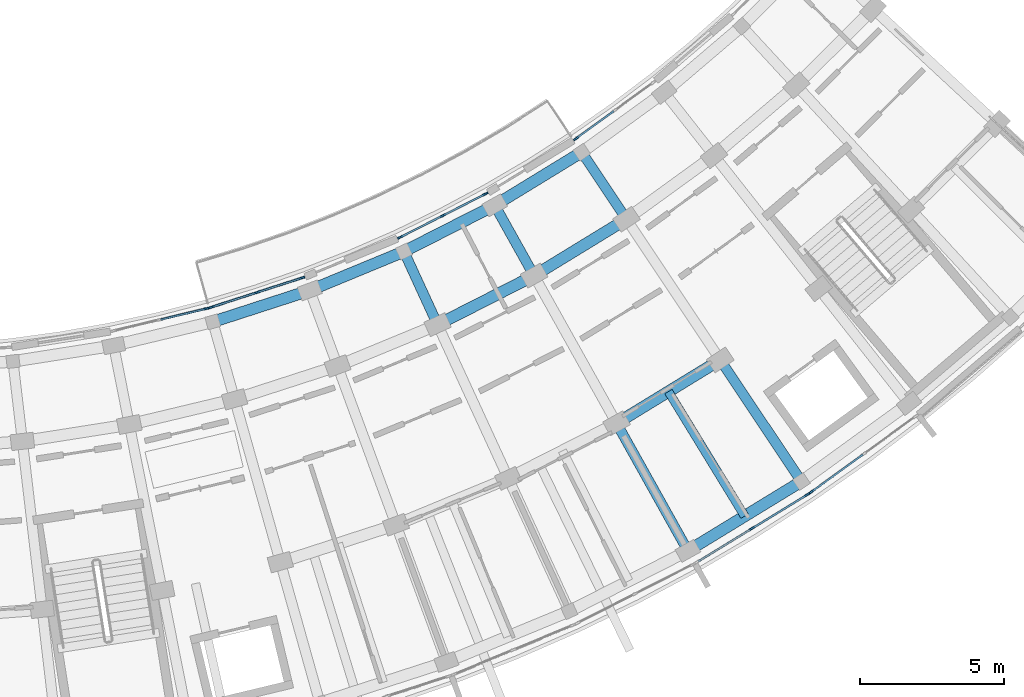
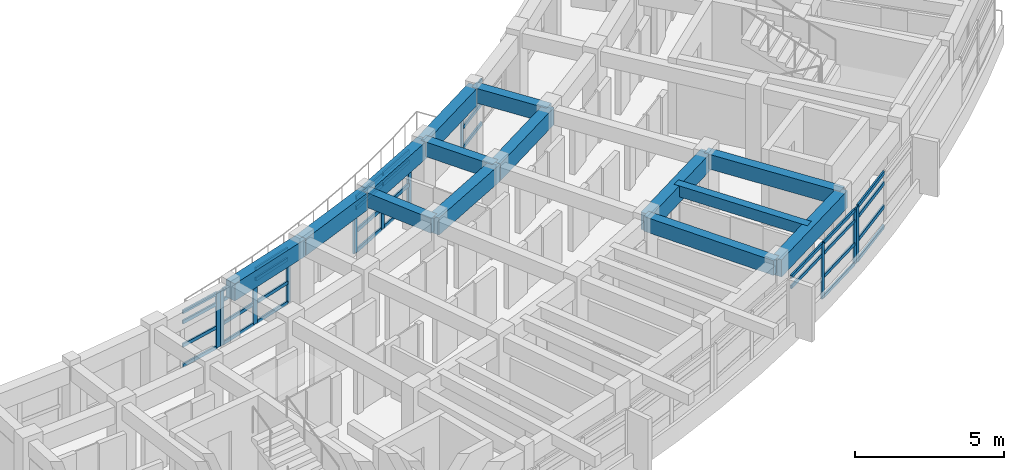
# One storey, part 18 of 56: 44 members, 14 beams, 6 elements without a shape of their own.
"""IFC4 building model written with IfcOpenShell, lengths in metres."""

from ifc_helpers import new_model, si_unit, direction, frame, origin, origin_2d, place, context, subcontext, project, spatial, rectangle, extrude, material, material_profile, profile_set, type_object, element, aggregate, save


model = new_model("IFC4")

# Units and contexts
model_context = context("Model", 3, precision=1e-05, world=origin(), true_north=direction((0.0, 1.0)))
body_context = subcontext(model_context, "Body", "Model", "MODEL_VIEW")
ifc_project = project(units=[si_unit("LENGTHUNIT", "METRE"), si_unit("AREAUNIT", "SQUARE_METRE"), si_unit("VOLUMEUNIT", "CUBIC_METRE"), si_unit("PLANEANGLEUNIT", "RADIAN"), si_unit("MASSUNIT", "GRAM", prefix="KILO")], contexts=[model_context])

# Site, building, storey
site_placement = place(None, origin())
site = spatial("IfcSite", under=ifc_project, at=site_placement, CompositionType="ELEMENT")
building_placement = place(site_placement, origin())
building = spatial("IfcBuilding", under=site, at=building_placement, Name="Zimvara Arc Housing Community", CompositionType="ELEMENT")
storey_placement = place(building_placement, frame((0.0, 0.0, 17.39990234375)))
storey = spatial("IfcBuildingStorey", under=building, at=storey_placement, Name="L05", CompositionType="ELEMENT", Elevation=17.39990234375)

# Beams
ifc_material_1 = material(Name="Concrete C40/50", Category="concrete")
ifc_material_profile_1 = material_profile(ifc_material_1, rectangle(XDim=0.300048828125, YDim=0.449951171875, at=origin_2d()), Name="RC 300x450")
ifc_profile_set_1 = profile_set([ifc_material_profile_1], Name="Concrete C40/50")
beam_type_1 = type_object("IfcBeamType", Name="BM-RC-300x450", PredefinedType="JOIST", material=ifc_profile_set_1)
beam_1_placement = place(storey_placement, frame((154.02880859375, 63.998779296875, 2.64501953125), z_axis=(0.521755418526, -0.85309511969, 0.0), x_axis=(0.85309511969, 0.521755418526, 0.0)))
element("IfcBeam", 1, at=beam_1_placement, inside=storey, type_object=beam_type_1, Name="bm:blkD:L05:joist:b6", PredefinedType="JOIST", context=body_context, shape_type="SweptSolid", body=[
    extrude(rectangle(XDim=0.300048828125, YDim=0.449951171875, at=origin_2d()), origin(), (0.0, 0.0, 1.0), 5.075927734375),
])
ifc_material_2 = material(Name="Concrete C40/50", Category="concrete")
ifc_material_profile_2 = material_profile(ifc_material_2, rectangle(XDim=0.35009765625, YDim=0.60009765625, at=origin_2d()), Name="RC 350x600")
ifc_profile_set_2 = profile_set([ifc_material_profile_2], Name="Concrete C40/50")
beam_type_2 = type_object("IfcBeamType", Name="BM-RC-350x600", PredefinedType="BEAM", material=ifc_profile_set_2)
for number, where, z_axis, x_axis, name in (
    (2, (144.834228515625, 68.8681640625, 2.570068359375), (0.417819250126, -0.908530172435, 0.0), (0.908530172435, 0.417819250126, 0.0), "bm:blkD:L05:rad:b5:r01"),
    (3, (147.9921875, 70.473876953125, 2.570068359375), (0.487825265957, -0.87294129808, 0.0), (0.87294129808, 0.487825265957, 0.0), "bm:blkD:L05:rad:b6:r01"),
):
    element("IfcBeam", number, at=place(storey_placement, frame(where, z_axis=z_axis, x_axis=x_axis)), inside=storey, type_object=beam_type_2, Name=name, PredefinedType="BEAM", context=body_context, shape_type="SweptSolid", body=[
        extrude(rectangle(XDim=0.35009765625, YDim=0.60009765625, at=origin_2d()), origin(), (0.0, 0.0, 1.0), 2.800048828125),
    ])
beam_2_placement = place(storey_placement, frame((152.226806640625, 62.896728515625, 2.570068359375), z_axis=(0.48786121213, -0.872921209331, 0.0), x_axis=(0.872921209331, 0.48786121213, 0.0)))
element("IfcBeam", 4, at=beam_2_placement, inside=storey, type_object=beam_type_2, Name="bm:blkD:L05:rad:b6:r23", PredefinedType="BEAM", context=body_context, shape_type="SweptSolid", body=[
    extrude(rectangle(XDim=0.35009765625, YDim=0.60009765625, at=origin_2d()), origin(), (0.0, 0.0, 1.0), 5.079833984375),
])
beam_3_placement = place(storey_placement, frame((151.0146484375, 72.322265625, 2.570068359375), z_axis=(0.55480079798, -0.831983217716, 0.0), x_axis=(0.831983217716, 0.55480079798, 0.0)))
element("IfcBeam", 5, at=beam_3_placement, inside=storey, type_object=beam_type_2, Name="bm:blkD:L05:rad:b7:r01", PredefinedType="BEAM", context=body_context, shape_type="SweptSolid", body=[
    extrude(rectangle(XDim=0.35009765625, YDim=0.60009765625, at=origin_2d()), origin(), (0.0, 0.0, 1.0), 2.800048828125),
])
beam_4_placement = place(storey_placement, frame((155.83056640625, 65.100830078125, 2.570068359375), z_axis=(0.554844365732, -0.83195416329, 0.0), x_axis=(0.83195416329, 0.554844365732, 0.0)))
element("IfcBeam", 6, at=beam_4_placement, inside=storey, type_object=beam_type_2, Name="bm:blkD:L05:rad:b7:r23", PredefinedType="BEAM", context=body_context, shape_type="SweptSolid", body=[
    extrude(rectangle(XDim=0.35009765625, YDim=0.60009765625, at=origin_2d()), origin(), (0.0, 0.0, 1.0), 5.080078125),
])
ifc_material_3 = material(Name="Concrete C40/50", Category="concrete")
ifc_material_profile_3 = material_profile(ifc_material_3, rectangle(XDim=0.39990234375, YDim=0.699951171875, at=origin_2d()), Name="RC 400x700")
ifc_profile_set_3 = profile_set([ifc_material_profile_3], Name="Concrete C40/50")
beam_type_3 = type_object("IfcBeamType", Name="BM-RC-400x700", PredefinedType="BEAM", material=ifc_profile_set_3)
beam_5_placement = place(storey_placement, frame((138.189453125, 66.42333984375, 2.52001953125), z_axis=(0.951329887165, 0.308174375618, 0.0), x_axis=(-0.308174375618, 0.951329887165, 0.0)))
element("IfcBeam", 7, at=beam_5_placement, inside=storey, type_object=beam_type_3, Name="bm:blkD:L05:chord:r0:b3", PredefinedType="BEAM", context=body_context, shape_type="SweptSolid", body=[
    extrude(rectangle(XDim=0.39990234375, YDim=0.699951171875, at=origin_2d()), origin(), (0.0, 0.0, 1.0), 3.542724609375),
])
beam_6_placement = place(storey_placement, frame((141.559814453125, 67.51513671875, 2.52001953125), z_axis=(0.924206445561, 0.381893238987, 0.0), x_axis=(-0.381893238987, 0.924206445561, 0.0)))
element("IfcBeam", 8, at=beam_6_placement, inside=storey, type_object=beam_type_3, Name="bm:blkD:L05:chord:r0:b4", PredefinedType="BEAM", context=body_context, shape_type="SweptSolid", body=[
    extrude(rectangle(XDim=0.39990234375, YDim=0.699951171875, at=origin_2d()), origin(), (0.0, 0.0, 1.0), 3.54296875),
])
beam_7_placement = place(storey_placement, frame((144.834228515625, 68.8681640625, 2.52001953125), z_axis=(0.891388433472, 0.453240179895, 0.0), x_axis=(-0.453240179895, 0.891388433472, 0.0)))
element("IfcBeam", 9, at=beam_7_placement, inside=storey, type_object=beam_type_3, Name="bm:blkD:L05:chord:r0:b5", PredefinedType="BEAM", context=body_context, shape_type="SweptSolid", body=[
    extrude(rectangle(XDim=0.39990234375, YDim=0.699951171875, at=origin_2d()), origin(), (0.0, 0.0, 1.0), 3.542724609375),
])
beam_8_placement = place(storey_placement, frame((147.9921875, 70.473876953125, 2.52001953125), z_axis=(0.853114855616, 0.52172314797, 0.0), x_axis=(-0.52172314797, 0.853114855616, 0.0)))
element("IfcBeam", 10, at=beam_8_placement, inside=storey, type_object=beam_type_3, Name="bm:blkD:L05:chord:r0:b6", PredefinedType="BEAM", context=body_context, shape_type="SweptSolid", body=[
    extrude(rectangle(XDim=0.39990234375, YDim=0.699951171875, at=origin_2d()), origin(), (0.0, 0.0, 1.0), 3.54296875),
])
for number, where, z_axis, x_axis, name in (
    (11, (146.004150390625, 66.32421875, 2.52001953125), (0.891396237924, 0.453224830536, 0.0), (-0.453224830536, 0.891396237924, 0.0), "bm:blkD:L05:chord:r1:b5"),
    (12, (149.358154296875, 68.029541015625, 2.52001953125), (0.853105356478, 0.521738680517, 0.0), (-0.521738680517, 0.853105356478, 0.0), "bm:blkD:L05:chord:r1:b6"),
):
    element("IfcBeam", number, at=place(storey_placement, frame(where, z_axis=z_axis, x_axis=x_axis)), inside=storey, type_object=beam_type_3, Name=name, PredefinedType="BEAM", context=body_context, shape_type="SweptSolid", body=[
        extrude(rectangle(XDim=0.39990234375, YDim=0.699951171875, at=origin_2d()), origin(), (0.0, 0.0, 1.0), 3.7626953125),
    ])
beam_9_placement = place(storey_placement, frame((152.226806640625, 62.896728515625, 2.52001953125), z_axis=(0.853091772331, 0.521760891579, 0.0), x_axis=(-0.521760891579, 0.853091772331, 0.0)))
element("IfcBeam", 13, at=beam_9_placement, inside=storey, type_object=beam_type_3, Name="bm:blkD:L05:chord:r2:b6", PredefinedType="BEAM", context=body_context, shape_type="SweptSolid", body=[
    extrude(rectangle(XDim=0.39990234375, YDim=0.699951171875, at=origin_2d()), origin(), (0.0, 0.0, 1.0), 4.224365234375),
])
beam_10_placement = place(storey_placement, frame((154.705078125, 58.46240234375, 2.52001953125), z_axis=(0.853105562062, 0.521738344363, 0.0), x_axis=(-0.521738344363, 0.853105562062, 0.0)))
element("IfcBeam", 14, at=beam_10_placement, inside=storey, type_object=beam_type_3, Name="bm:blkD:L05:chord:r3:b6", PredefinedType="BEAM", context=body_context, shape_type="SweptSolid", body=[
    extrude(rectangle(XDim=0.39990234375, YDim=0.699951171875, at=origin_2d()), origin(), (0.0, 0.0, 1.0), 4.623291015625),
])

# Curtain wall, member
ifc_material_4 = material(Name="Anodised Aluminium AW-6063", Category="aluminium")
curtain_wall_type_1 = type_object("IfcCurtainWallType", Name="CW-SYS-02", PredefinedType="USERDEFINED", material=ifc_material_4)
curtain_wall_1_placement = place(storey_placement, origin())
curtain_wall_1 = element("IfcCurtainWall", 15, at=curtain_wall_1_placement, inside=storey, type_object=curtain_wall_type_1, Name="cw:blkD:L05:in:b2", ObjectType="CURTAIN WALL", PredefinedType="USERDEFINED")
ifc_material_5 = material(Name="Anodised Aluminium AW-6063", Category="aluminium")
ifc_material_profile_4 = material_profile(ifc_material_5, rectangle(XDim=0.06494140625, YDim=0.179931640625, at=origin_2d()), Name="ALU 65x180")
ifc_profile_set_4 = profile_set([ifc_material_profile_4], Name="Anodised Aluminium AW-6063")
member_type_1 = type_object("IfcMemberType", Name="CWM-65x150", PredefinedType="MULLION", material=ifc_profile_set_4)
member_1_placement = place(storey_placement, frame((137.964111328125, 66.88330078125, 0.0), z_axis=(0.0, 0.0, 1.0), x_axis=(-0.232596003485, 0.972573441526, 0.0)))
member_1 = element("IfcMember", 16, at=member_1_placement, type_object=member_type_1, Name="CW02 mullion 3", PredefinedType="MULLION", context=body_context, shape_type="SweptSolid", body=[
    extrude(rectangle(XDim=0.06494140625, YDim=0.179931640625, at=origin_2d()), origin(), (0.0, 0.0, 1.0), 2.25),
])

# Curtain wall, members
ifc_material_6 = material(Name="Anodised Aluminium AW-6063", Category="aluminium")
curtain_wall_type_2 = type_object("IfcCurtainWallType", Name="CW-SYS-04", PredefinedType="USERDEFINED", material=ifc_material_6)
curtain_wall_2_placement = place(storey_placement, origin())
curtain_wall_2 = element("IfcCurtainWall", 17, at=curtain_wall_2_placement, inside=storey, type_object=curtain_wall_type_2, Name="cw:blkD:L05:in:b3", ObjectType="CURTAIN WALL", PredefinedType="USERDEFINED")
member_2_placement = place(storey_placement, frame((138.14208984375, 66.93310546875, 0.0), z_axis=(0.0, 0.0, 1.0), x_axis=(-0.308185223559, 0.951326373008, 0.0)))
member_2 = element("IfcMember", 18, at=member_2_placement, type_object=member_type_1, Name="CW04 mullion 1", PredefinedType="MULLION", context=body_context, shape_type="SweptSolid", body=[
    extrude(rectangle(XDim=0.06494140625, YDim=0.179931640625, at=origin_2d()), origin(), (0.0, 0.0, 1.0), 2.25),
])
member_3_placement = place(storey_placement, frame((139.720703125, 67.444580078125, 0.0), z_axis=(0.0, 0.0, 1.0), x_axis=(-0.308185223559, 0.951326373008, 0.0)))
member_3 = element("IfcMember", 19, at=member_3_placement, type_object=member_type_1, Name="CW04 mullion 2", PredefinedType="MULLION", context=body_context, shape_type="SweptSolid", body=[
    extrude(rectangle(XDim=0.06494140625, YDim=0.179931640625, at=origin_2d()), origin(), (0.0, 0.0, 1.0), 2.25),
])
member_4_placement = place(storey_placement, frame((141.29931640625, 67.9560546875, 0.0), z_axis=(0.0, 0.0, 1.0), x_axis=(-0.308185223559, 0.951326373008, 0.0)))
member_4 = element("IfcMember", 20, at=member_4_placement, type_object=member_type_1, Name="CW04 mullion 3", PredefinedType="MULLION", context=body_context, shape_type="SweptSolid", body=[
    extrude(rectangle(XDim=0.06494140625, YDim=0.179931640625, at=origin_2d()), origin(), (0.0, 0.0, 1.0), 2.25),
])

ifc_material_7 = material(Name="Anodised Aluminium AW-6063", Category="aluminium")
curtain_wall_type_3 = type_object("IfcCurtainWallType", Name="CW-SYS-08", PredefinedType="USERDEFINED", material=ifc_material_7)
curtain_wall_3_placement = place(storey_placement, origin())
curtain_wall_3 = element("IfcCurtainWall", 21, at=curtain_wall_3_placement, inside=storey, type_object=curtain_wall_type_3, Name="cw:blkD:L05:out:b6", ObjectType="CURTAIN WALL", PredefinedType="USERDEFINED")
member_5_placement = place(storey_placement, frame((156.93798828125, 59.2421875, 0.0), z_axis=(0.0, 0.0, 1.0), x_axis=(-0.521754248513, 0.853095835272, 0.0)))
member_5 = element("IfcMember", 22, at=member_5_placement, type_object=member_type_1, Name="CW08 mullion 2", PredefinedType="MULLION", context=body_context, shape_type="SweptSolid", body=[
    extrude(rectangle(XDim=0.06494140625, YDim=0.179931640625, at=origin_2d()), origin(), (0.0, 0.0, 1.0), 2.25),
])
member_6_placement = place(storey_placement, frame((158.84765625, 60.410400390625, 0.0), z_axis=(0.0, 0.0, 1.0), x_axis=(-0.521754248513, 0.853095835272, 0.0)))
member_6 = element("IfcMember", 23, at=member_6_placement, type_object=member_type_1, Name="CW08 mullion 3", PredefinedType="MULLION", context=body_context, shape_type="SweptSolid", body=[
    extrude(rectangle(XDim=0.06494140625, YDim=0.179931640625, at=origin_2d()), origin(), (0.0, 0.0, 1.0), 2.25),
])

# Curtain wall, member
curtain_wall_4_placement = place(storey_placement, origin())
curtain_wall_4 = element("IfcCurtainWall", 24, at=curtain_wall_4_placement, inside=storey, type_object=curtain_wall_type_1, Name="cw:blkD:L05:in:b7", ObjectType="CURTAIN WALL", PredefinedType="USERDEFINED")
member_7_placement = place(storey_placement, frame((150.81201171875, 72.79248046875, 0.0), z_axis=(0.0, 0.0, 1.0), x_axis=(-0.587079343755, 0.809529396709, 0.0)))
member_7 = element("IfcMember", 25, at=member_7_placement, type_object=member_type_1, Name="CW02 mullion 1", PredefinedType="MULLION", context=body_context, shape_type="SweptSolid", body=[
    extrude(rectangle(XDim=0.06494140625, YDim=0.179931640625, at=origin_2d()), origin(), (0.0, 0.0, 1.0), 2.25),
])

# Curtain wall, members
ifc_material_8 = material(Name="Anodised Aluminium AW-6063", Category="aluminium")
curtain_wall_type_4 = type_object("IfcCurtainWallType", Name="CW-SYS-07", PredefinedType="USERDEFINED", material=ifc_material_8)
curtain_wall_5_placement = place(storey_placement, origin())
curtain_wall_5 = element("IfcCurtainWall", 26, at=curtain_wall_5_placement, inside=storey, type_object=curtain_wall_type_4, Name="cw:blkD:L05:in:b5", ObjectType="CURTAIN WALL", PredefinedType="USERDEFINED")
ifc_material_9 = material(Name="Anodised Aluminium AW-6063", Category="aluminium")
ifc_material_profile_5 = material_profile(ifc_material_9, rectangle(XDim=0.06494140625, YDim=0.195068359375, at=origin_2d()), Name="ALU 65x195")
ifc_profile_set_5 = profile_set([ifc_material_profile_5], Name="Anodised Aluminium AW-6063")
member_type_2 = type_object("IfcMemberType", Name="CWM-65x180", PredefinedType="MULLION", material=ifc_profile_set_5)
member_8_placement = place(storey_placement, frame((144.707763671875, 69.3642578125, 0.0), z_axis=(0.0, 0.0, 1.0), x_axis=(-0.453211411267, 0.89140306074, 0.0)))
member_8 = element("IfcMember", 27, at=member_8_placement, type_object=member_type_2, Name="CW07 mullion 1", PredefinedType="MULLION", context=body_context, shape_type="SweptSolid", body=[
    extrude(rectangle(XDim=0.06494140625, YDim=0.195068359375, at=origin_2d()), origin(), (0.0, 0.0, 1.0), 2.25),
])
member_9_placement = place(storey_placement, frame((146.186767578125, 70.1162109375, 0.0), z_axis=(0.0, 0.0, 1.0), x_axis=(-0.453211411267, 0.89140306074, 0.0)))
member_9 = element("IfcMember", 28, at=member_9_placement, type_object=member_type_2, Name="CW07 mullion 2", PredefinedType="MULLION", context=body_context, shape_type="SweptSolid", body=[
    extrude(rectangle(XDim=0.06494140625, YDim=0.195068359375, at=origin_2d()), origin(), (0.0, 0.0, 1.0), 2.25),
])
member_10_placement = place(storey_placement, frame((147.665771484375, 70.868408203125, 0.0), z_axis=(0.0, 0.0, 1.0), x_axis=(-0.453211411267, 0.89140306074, 0.0)))
member_10 = element("IfcMember", 29, at=member_10_placement, type_object=member_type_2, Name="CW07 mullion 3", PredefinedType="MULLION", context=body_context, shape_type="SweptSolid", body=[
    extrude(rectangle(XDim=0.06494140625, YDim=0.195068359375, at=origin_2d()), origin(), (0.0, 0.0, 1.0), 2.25),
])

# Curtain wall, member
ifc_material_10 = material(Name="Anodised Aluminium AW-6063", Category="aluminium")
curtain_wall_type_5 = type_object("IfcCurtainWallType", Name="CW-SYS-01", PredefinedType="USERDEFINED", material=ifc_material_10)
curtain_wall_6_placement = place(storey_placement, origin())
curtain_wall_6 = element("IfcCurtainWall", 30, at=curtain_wall_6_placement, inside=storey, type_object=curtain_wall_type_5, Name="cw:blkD:L05:out:b7", ObjectType="CURTAIN WALL", PredefinedType="USERDEFINED")
member_11_placement = place(storey_placement, frame((159.00146484375, 60.512939453125, 0.0), z_axis=(0.0, 0.0, 1.0), x_axis=(-0.587077917196, 0.809530431263, 0.0)))
member_11 = element("IfcMember", 31, at=member_11_placement, type_object=member_type_2, Name="CW01 mullion 1", PredefinedType="MULLION", context=body_context, shape_type="SweptSolid", body=[
    extrude(rectangle(XDim=0.06494140625, YDim=0.195068359375, at=origin_2d()), origin(), (0.0, 0.0, 1.0), 2.25),
])

# Member
ifc_material_11 = material(Name="Anodised Aluminium AW-6063", Category="aluminium")
ifc_material_profile_6 = material_profile(ifc_material_11, rectangle(XDim=0.06494140625, YDim=0.139892578125, at=origin_2d()), Name="ALU 65x140")
ifc_profile_set_6 = profile_set([ifc_material_profile_6], Name="Anodised Aluminium AW-6063")
member_type_3 = type_object("IfcMemberType", Name="CWT-65x120", PredefinedType="USERDEFINED", material=ifc_profile_set_6)
member_12_placement = place(storey_placement, frame((136.382080078125, 66.5048828125, 0.03271484375), z_axis=(0.972569101566, 0.232614149784, 0.0), x_axis=(-0.232614149784, 0.972569101566, 0.0)))
member_12 = element("IfcMember", 32, at=member_12_placement, type_object=member_type_3, Name="CW02 transom 2.1", ObjectType="TRANSOM", PredefinedType="USERDEFINED", context=body_context, shape_type="SweptSolid", body=[
    extrude(rectangle(XDim=0.06494140625, YDim=0.139892578125, at=origin_2d()), origin(), (0.0, 0.0, 1.0), 1.59423828125),
])

member_13_placement = place(storey_placement, frame((136.382080078125, 66.5048828125, 0.85009765625), z_axis=(0.972569101566, 0.232614149784, 0.0), x_axis=(-0.232614149784, 0.972569101566, 0.0)))
member_13 = element("IfcMember", 33, at=member_13_placement, type_object=member_type_3, Name="CW02 transom 2.2", ObjectType="TRANSOM", PredefinedType="USERDEFINED", context=body_context, shape_type="SweptSolid", body=[
    extrude(rectangle(XDim=0.06494140625, YDim=0.139892578125, at=origin_2d()), origin(), (0.0, 0.0, 1.0), 1.59423828125),
])

member_14_placement = place(storey_placement, frame((136.382080078125, 66.5048828125, 1.800048828125), z_axis=(0.972569101566, 0.232614149784, 0.0), x_axis=(-0.232614149784, 0.972569101566, 0.0)))
member_14 = element("IfcMember", 34, at=member_14_placement, type_object=member_type_3, Name="CW02 transom 2.3", ObjectType="TRANSOM", PredefinedType="USERDEFINED", context=body_context, shape_type="SweptSolid", body=[
    extrude(rectangle(XDim=0.06494140625, YDim=0.139892578125, at=origin_2d()), origin(), (0.0, 0.0, 1.0), 1.59423828125),
])

member_15_placement = place(storey_placement, frame((136.382080078125, 66.5048828125, 2.217529296875), z_axis=(0.972569101566, 0.232614149784, 0.0), x_axis=(-0.232614149784, 0.972569101566, 0.0)))
member_15 = element("IfcMember", 35, at=member_15_placement, type_object=member_type_3, Name="CW02 transom 2.4", ObjectType="TRANSOM", PredefinedType="USERDEFINED", context=body_context, shape_type="SweptSolid", body=[
    extrude(rectangle(XDim=0.06494140625, YDim=0.139892578125, at=origin_2d()), origin(), (0.0, 0.0, 1.0), 1.59423828125),
])

aggregate(curtain_wall_1, [member_1, member_12, member_13, member_14, member_15])

member_16_placement = place(storey_placement, frame((138.173095703125, 66.943115234375, 0.03271484375), z_axis=(0.951299308569, 0.308268755336, 0.0), x_axis=(-0.308268755336, 0.951299308569, 0.0)))
member_16 = element("IfcMember", 36, at=member_16_placement, type_object=member_type_3, Name="CW04 transom 1.1", ObjectType="TRANSOM", PredefinedType="USERDEFINED", context=body_context, shape_type="SweptSolid", body=[
    extrude(rectangle(XDim=0.06494140625, YDim=0.139892578125, at=origin_2d()), origin(), (0.0, 0.0, 1.0), 1.59423828125),
])

member_17_placement = place(storey_placement, frame((138.173095703125, 66.943115234375, 0.85009765625), z_axis=(0.951299308569, 0.308268755336, 0.0), x_axis=(-0.308268755336, 0.951299308569, 0.0)))
member_17 = element("IfcMember", 37, at=member_17_placement, type_object=member_type_3, Name="CW04 transom 1.2", ObjectType="TRANSOM", PredefinedType="USERDEFINED", context=body_context, shape_type="SweptSolid", body=[
    extrude(rectangle(XDim=0.06494140625, YDim=0.139892578125, at=origin_2d()), origin(), (0.0, 0.0, 1.0), 1.59423828125),
])

member_18_placement = place(storey_placement, frame((138.173095703125, 66.943115234375, 1.800048828125), z_axis=(0.951299308569, 0.308268755336, 0.0), x_axis=(-0.308268755336, 0.951299308569, 0.0)))
member_18 = element("IfcMember", 38, at=member_18_placement, type_object=member_type_3, Name="CW04 transom 1.3", ObjectType="TRANSOM", PredefinedType="USERDEFINED", context=body_context, shape_type="SweptSolid", body=[
    extrude(rectangle(XDim=0.06494140625, YDim=0.139892578125, at=origin_2d()), origin(), (0.0, 0.0, 1.0), 1.59423828125),
])

member_19_placement = place(storey_placement, frame((138.173095703125, 66.943115234375, 2.217529296875), z_axis=(0.951299308569, 0.308268755336, 0.0), x_axis=(-0.308268755336, 0.951299308569, 0.0)))
member_19 = element("IfcMember", 39, at=member_19_placement, type_object=member_type_3, Name="CW04 transom 1.4", ObjectType="TRANSOM", PredefinedType="USERDEFINED", context=body_context, shape_type="SweptSolid", body=[
    extrude(rectangle(XDim=0.06494140625, YDim=0.139892578125, at=origin_2d()), origin(), (0.0, 0.0, 1.0), 1.59423828125),
])

member_20_placement = place(storey_placement, frame((139.751708984375, 67.45458984375, 0.03271484375), z_axis=(0.951344209493, 0.308130159289, 0.0), x_axis=(-0.308130159289, 0.951344209493, 0.0)))
member_20 = element("IfcMember", 40, at=member_20_placement, type_object=member_type_3, Name="CW04 transom 2.1", ObjectType="TRANSOM", PredefinedType="USERDEFINED", context=body_context, shape_type="SweptSolid", body=[
    extrude(rectangle(XDim=0.06494140625, YDim=0.139892578125, at=origin_2d()), origin(), (0.0, 0.0, 1.0), 1.59423828125),
])

member_21_placement = place(storey_placement, frame((139.751708984375, 67.45458984375, 0.85009765625), z_axis=(0.951344209493, 0.308130159289, 0.0), x_axis=(-0.308130159289, 0.951344209493, 0.0)))
member_21 = element("IfcMember", 41, at=member_21_placement, type_object=member_type_3, Name="CW04 transom 2.2", ObjectType="TRANSOM", PredefinedType="USERDEFINED", context=body_context, shape_type="SweptSolid", body=[
    extrude(rectangle(XDim=0.06494140625, YDim=0.139892578125, at=origin_2d()), origin(), (0.0, 0.0, 1.0), 1.59423828125),
])

member_22_placement = place(storey_placement, frame((139.751708984375, 67.45458984375, 1.800048828125), z_axis=(0.951344209493, 0.308130159289, 0.0), x_axis=(-0.308130159289, 0.951344209493, 0.0)))
member_22 = element("IfcMember", 42, at=member_22_placement, type_object=member_type_3, Name="CW04 transom 2.3", ObjectType="TRANSOM", PredefinedType="USERDEFINED", context=body_context, shape_type="SweptSolid", body=[
    extrude(rectangle(XDim=0.06494140625, YDim=0.139892578125, at=origin_2d()), origin(), (0.0, 0.0, 1.0), 1.59423828125),
])

member_23_placement = place(storey_placement, frame((139.751708984375, 67.45458984375, 2.217529296875), z_axis=(0.951344209493, 0.308130159289, 0.0), x_axis=(-0.308130159289, 0.951344209493, 0.0)))
member_23 = element("IfcMember", 43, at=member_23_placement, type_object=member_type_3, Name="CW04 transom 2.4", ObjectType="TRANSOM", PredefinedType="USERDEFINED", context=body_context, shape_type="SweptSolid", body=[
    extrude(rectangle(XDim=0.06494140625, YDim=0.139892578125, at=origin_2d()), origin(), (0.0, 0.0, 1.0), 1.59423828125),
])

aggregate(curtain_wall_2, [member_2, member_3, member_4, member_16, member_17, member_18, member_19, member_20, member_21, member_22, member_23])

member_24_placement = place(storey_placement, frame((155.0556640625, 58.091064453125, 1.800048828125), z_axis=(0.85308189023, 0.521777048711, 0.0), x_axis=(-0.521777048711, 0.85308189023, 0.0)))
member_24 = element("IfcMember", 44, at=member_24_placement, type_object=member_type_3, Name="CW08 transom 1.3", ObjectType="TRANSOM", PredefinedType="USERDEFINED", context=body_context, shape_type="SweptSolid", body=[
    extrude(rectangle(XDim=0.06494140625, YDim=0.139892578125, at=origin_2d()), origin(), (0.0, 0.0, 1.0), 2.173828125),
])

member_25_placement = place(storey_placement, frame((155.0556640625, 58.091064453125, 2.217529296875), z_axis=(0.85308189023, 0.521777048711, 0.0), x_axis=(-0.521777048711, 0.85308189023, 0.0)))
member_25 = element("IfcMember", 45, at=member_25_placement, type_object=member_type_3, Name="CW08 transom 1.4", ObjectType="TRANSOM", PredefinedType="USERDEFINED", context=body_context, shape_type="SweptSolid", body=[
    extrude(rectangle(XDim=0.06494140625, YDim=0.139892578125, at=origin_2d()), origin(), (0.0, 0.0, 1.0), 2.173828125),
])

member_26_placement = place(storey_placement, frame((156.965576171875, 59.25927734375, 0.03271484375), z_axis=(0.853131879051, 0.521695310452, 0.0), x_axis=(-0.521695310452, 0.853131879051, 0.0)))
member_26 = element("IfcMember", 46, at=member_26_placement, type_object=member_type_3, Name="CW08 transom 2.1", ObjectType="TRANSOM", PredefinedType="USERDEFINED", context=body_context, shape_type="SweptSolid", body=[
    extrude(rectangle(XDim=0.06494140625, YDim=0.139892578125, at=origin_2d()), origin(), (0.0, 0.0, 1.0), 2.173828125),
])

member_27_placement = place(storey_placement, frame((156.965576171875, 59.25927734375, 0.85009765625), z_axis=(0.853131879051, 0.521695310452, 0.0), x_axis=(-0.521695310452, 0.853131879051, 0.0)))
member_27 = element("IfcMember", 47, at=member_27_placement, type_object=member_type_3, Name="CW08 transom 2.2", ObjectType="TRANSOM", PredefinedType="USERDEFINED", context=body_context, shape_type="SweptSolid", body=[
    extrude(rectangle(XDim=0.06494140625, YDim=0.139892578125, at=origin_2d()), origin(), (0.0, 0.0, 1.0), 2.173828125),
])

member_28_placement = place(storey_placement, frame((156.965576171875, 59.25927734375, 1.800048828125), z_axis=(0.853131879051, 0.521695310452, 0.0), x_axis=(-0.521695310452, 0.853131879051, 0.0)))
member_28 = element("IfcMember", 48, at=member_28_placement, type_object=member_type_3, Name="CW08 transom 2.3", ObjectType="TRANSOM", PredefinedType="USERDEFINED", context=body_context, shape_type="SweptSolid", body=[
    extrude(rectangle(XDim=0.06494140625, YDim=0.139892578125, at=origin_2d()), origin(), (0.0, 0.0, 1.0), 2.173828125),
])

member_29_placement = place(storey_placement, frame((156.965576171875, 59.25927734375, 2.217529296875), z_axis=(0.853131879051, 0.521695310452, 0.0), x_axis=(-0.521695310452, 0.853131879051, 0.0)))
member_29 = element("IfcMember", 49, at=member_29_placement, type_object=member_type_3, Name="CW08 transom 2.4", ObjectType="TRANSOM", PredefinedType="USERDEFINED", context=body_context, shape_type="SweptSolid", body=[
    extrude(rectangle(XDim=0.06494140625, YDim=0.139892578125, at=origin_2d()), origin(), (0.0, 0.0, 1.0), 2.173828125),
])

aggregate(curtain_wall_3, [member_5, member_6, member_24, member_25, member_26, member_27, member_28, member_29])

member_30_placement = place(storey_placement, frame((150.83837890625, 72.8115234375, 0.03271484375), z_axis=(0.809490349774, 0.587133182185, 0.0), x_axis=(-0.587133182185, 0.809490349774, 0.0)))
member_30 = element("IfcMember", 50, at=member_30_placement, type_object=member_type_3, Name="CW02 transom 1.1", ObjectType="TRANSOM", PredefinedType="USERDEFINED", context=body_context, shape_type="SweptSolid", body=[
    extrude(rectangle(XDim=0.06494140625, YDim=0.139892578125, at=origin_2d()), origin(), (0.0, 0.0, 1.0), 1.59423828125),
])

member_31_placement = place(storey_placement, frame((150.83837890625, 72.8115234375, 0.85009765625), z_axis=(0.809490349774, 0.587133182185, 0.0), x_axis=(-0.587133182185, 0.809490349774, 0.0)))
member_31 = element("IfcMember", 51, at=member_31_placement, type_object=member_type_3, Name="CW02 transom 1.2", ObjectType="TRANSOM", PredefinedType="USERDEFINED", context=body_context, shape_type="SweptSolid", body=[
    extrude(rectangle(XDim=0.06494140625, YDim=0.139892578125, at=origin_2d()), origin(), (0.0, 0.0, 1.0), 1.59423828125),
])

member_32_placement = place(storey_placement, frame((150.83837890625, 72.8115234375, 1.800048828125), z_axis=(0.809490349774, 0.587133182185, 0.0), x_axis=(-0.587133182185, 0.809490349774, 0.0)))
member_32 = element("IfcMember", 52, at=member_32_placement, type_object=member_type_3, Name="CW02 transom 1.3", ObjectType="TRANSOM", PredefinedType="USERDEFINED", context=body_context, shape_type="SweptSolid", body=[
    extrude(rectangle(XDim=0.06494140625, YDim=0.139892578125, at=origin_2d()), origin(), (0.0, 0.0, 1.0), 1.59423828125),
])

aggregate(curtain_wall_4, [member_7, member_30, member_31, member_32])

ifc_material_12 = material(Name="Anodised Aluminium AW-6063", Category="aluminium")
ifc_material_profile_7 = material_profile(ifc_material_12, rectangle(XDim=0.06494140625, YDim=0.155029296875, at=origin_2d()), Name="ALU 65x155")
ifc_profile_set_7 = profile_set([ifc_material_profile_7], Name="Anodised Aluminium AW-6063")
member_type_4 = type_object("IfcMemberType", Name="CWT-65x140", PredefinedType="USERDEFINED", material=ifc_profile_set_7)
member_33_placement = place(storey_placement, frame((144.736572265625, 69.37890625, 0.03271484375), z_axis=(0.891374643948, 0.453267298761, 0.0), x_axis=(-0.453267298761, 0.891374643948, 0.0)))
member_33 = element("IfcMember", 53, at=member_33_placement, type_object=member_type_4, Name="CW07 transom 1.1", ObjectType="TRANSOM", PredefinedType="USERDEFINED", context=body_context, shape_type="SweptSolid", body=[
    extrude(rectangle(XDim=0.06494140625, YDim=0.155029296875, at=origin_2d()), origin(), (0.0, 0.0, 1.0), 1.59423828125),
])

member_34_placement = place(storey_placement, frame((144.736572265625, 69.37890625, 0.85009765625), z_axis=(0.891374643948, 0.453267298761, 0.0), x_axis=(-0.453267298761, 0.891374643948, 0.0)))
member_34 = element("IfcMember", 54, at=member_34_placement, type_object=member_type_4, Name="CW07 transom 1.2", ObjectType="TRANSOM", PredefinedType="USERDEFINED", context=body_context, shape_type="SweptSolid", body=[
    extrude(rectangle(XDim=0.06494140625, YDim=0.155029296875, at=origin_2d()), origin(), (0.0, 0.0, 1.0), 1.59423828125),
])

member_35_placement = place(storey_placement, frame((144.736572265625, 69.37890625, 1.800048828125), z_axis=(0.891374643948, 0.453267298761, 0.0), x_axis=(-0.453267298761, 0.891374643948, 0.0)))
member_35 = element("IfcMember", 55, at=member_35_placement, type_object=member_type_4, Name="CW07 transom 1.3", ObjectType="TRANSOM", PredefinedType="USERDEFINED", context=body_context, shape_type="SweptSolid", body=[
    extrude(rectangle(XDim=0.06494140625, YDim=0.155029296875, at=origin_2d()), origin(), (0.0, 0.0, 1.0), 1.59423828125),
])

member_36_placement = place(storey_placement, frame((144.736572265625, 69.37890625, 2.217529296875), z_axis=(0.891374643948, 0.453267298761, 0.0), x_axis=(-0.453267298761, 0.891374643948, 0.0)))
member_36 = element("IfcMember", 56, at=member_36_placement, type_object=member_type_4, Name="CW07 transom 1.4", ObjectType="TRANSOM", PredefinedType="USERDEFINED", context=body_context, shape_type="SweptSolid", body=[
    extrude(rectangle(XDim=0.06494140625, YDim=0.155029296875, at=origin_2d()), origin(), (0.0, 0.0, 1.0), 1.59423828125),
])

member_37_placement = place(storey_placement, frame((146.2158203125, 70.131103515625, 0.03271484375), z_axis=(0.891436509542, 0.453145616172, 0.0), x_axis=(-0.453145616172, 0.891436509542, 0.0)))
member_37 = element("IfcMember", 57, at=member_37_placement, type_object=member_type_4, Name="CW07 transom 2.1", ObjectType="TRANSOM", PredefinedType="USERDEFINED", context=body_context, shape_type="SweptSolid", body=[
    extrude(rectangle(XDim=0.06494140625, YDim=0.155029296875, at=origin_2d()), origin(), (0.0, 0.0, 1.0), 1.59423828125),
])

member_38_placement = place(storey_placement, frame((146.2158203125, 70.131103515625, 0.85009765625), z_axis=(0.891436509542, 0.453145616172, 0.0), x_axis=(-0.453145616172, 0.891436509542, 0.0)))
member_38 = element("IfcMember", 58, at=member_38_placement, type_object=member_type_4, Name="CW07 transom 2.2", ObjectType="TRANSOM", PredefinedType="USERDEFINED", context=body_context, shape_type="SweptSolid", body=[
    extrude(rectangle(XDim=0.06494140625, YDim=0.155029296875, at=origin_2d()), origin(), (0.0, 0.0, 1.0), 1.59423828125),
])

member_39_placement = place(storey_placement, frame((146.2158203125, 70.131103515625, 1.800048828125), z_axis=(0.891436509542, 0.453145616172, 0.0), x_axis=(-0.453145616172, 0.891436509542, 0.0)))
member_39 = element("IfcMember", 59, at=member_39_placement, type_object=member_type_4, Name="CW07 transom 2.3", ObjectType="TRANSOM", PredefinedType="USERDEFINED", context=body_context, shape_type="SweptSolid", body=[
    extrude(rectangle(XDim=0.06494140625, YDim=0.155029296875, at=origin_2d()), origin(), (0.0, 0.0, 1.0), 1.59423828125),
])

member_40_placement = place(storey_placement, frame((146.2158203125, 70.131103515625, 2.217529296875), z_axis=(0.891436509542, 0.453145616172, 0.0), x_axis=(-0.453145616172, 0.891436509542, 0.0)))
member_40 = element("IfcMember", 60, at=member_40_placement, type_object=member_type_4, Name="CW07 transom 2.4", ObjectType="TRANSOM", PredefinedType="USERDEFINED", context=body_context, shape_type="SweptSolid", body=[
    extrude(rectangle(XDim=0.06494140625, YDim=0.155029296875, at=origin_2d()), origin(), (0.0, 0.0, 1.0), 1.59423828125),
])

aggregate(curtain_wall_5, [member_8, member_9, member_10, member_33, member_34, member_35, member_36, member_37, member_38, member_39, member_40])

member_41_placement = place(storey_placement, frame((159.02783203125, 60.531982421875, 0.03271484375), z_axis=(0.80954639163, 0.587055908581, 0.0), x_axis=(-0.587055908581, 0.80954639163, 0.0)))
member_41 = element("IfcMember", 61, at=member_41_placement, type_object=member_type_4, Name="CW01 transom 1.1", ObjectType="TRANSOM", PredefinedType="USERDEFINED", context=body_context, shape_type="SweptSolid", body=[
    extrude(rectangle(XDim=0.06494140625, YDim=0.155029296875, at=origin_2d()), origin(), (0.0, 0.0, 1.0), 2.173828125),
])

member_42_placement = place(storey_placement, frame((159.02783203125, 60.531982421875, 0.85009765625), z_axis=(0.80954639163, 0.587055908581, 0.0), x_axis=(-0.587055908581, 0.80954639163, 0.0)))
member_42 = element("IfcMember", 62, at=member_42_placement, type_object=member_type_4, Name="CW01 transom 1.2", ObjectType="TRANSOM", PredefinedType="USERDEFINED", context=body_context, shape_type="SweptSolid", body=[
    extrude(rectangle(XDim=0.06494140625, YDim=0.155029296875, at=origin_2d()), origin(), (0.0, 0.0, 1.0), 2.173828125),
])

member_43_placement = place(storey_placement, frame((159.02783203125, 60.531982421875, 1.800048828125), z_axis=(0.80954639163, 0.587055908581, 0.0), x_axis=(-0.587055908581, 0.80954639163, 0.0)))
member_43 = element("IfcMember", 63, at=member_43_placement, type_object=member_type_4, Name="CW01 transom 1.3", ObjectType="TRANSOM", PredefinedType="USERDEFINED", context=body_context, shape_type="SweptSolid", body=[
    extrude(rectangle(XDim=0.06494140625, YDim=0.155029296875, at=origin_2d()), origin(), (0.0, 0.0, 1.0), 2.173828125),
])

member_44_placement = place(storey_placement, frame((159.02783203125, 60.531982421875, 2.217529296875), z_axis=(0.80954639163, 0.587055908581, 0.0), x_axis=(-0.587055908581, 0.80954639163, 0.0)))
member_44 = element("IfcMember", 64, at=member_44_placement, type_object=member_type_4, Name="CW01 transom 1.4", ObjectType="TRANSOM", PredefinedType="USERDEFINED", context=body_context, shape_type="SweptSolid", body=[
    extrude(rectangle(XDim=0.06494140625, YDim=0.155029296875, at=origin_2d()), origin(), (0.0, 0.0, 1.0), 2.173828125),
])

aggregate(curtain_wall_6, [member_11, member_41, member_42, member_43, member_44])

save(model, "model.ifc")
